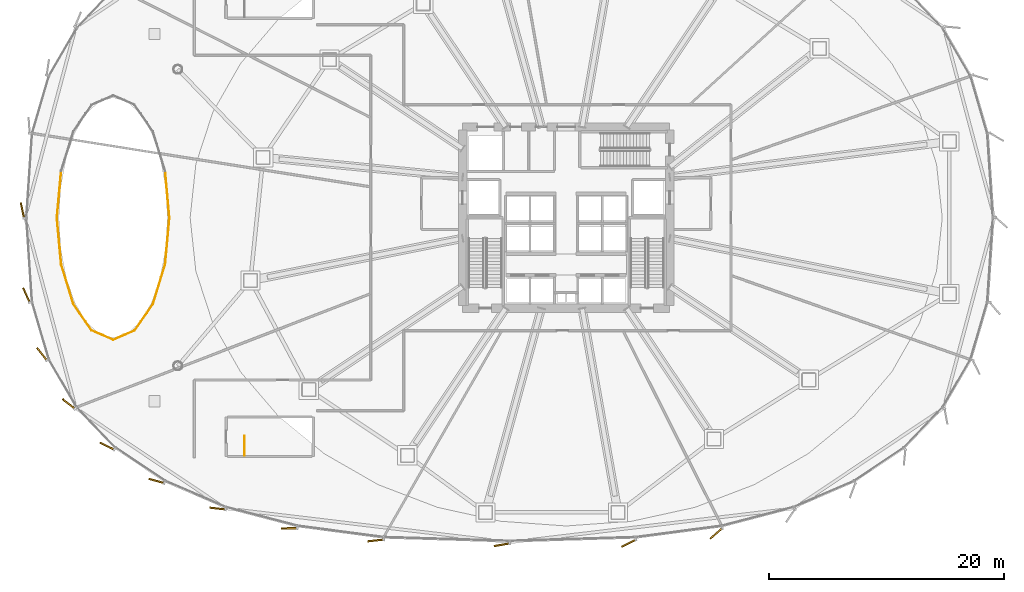
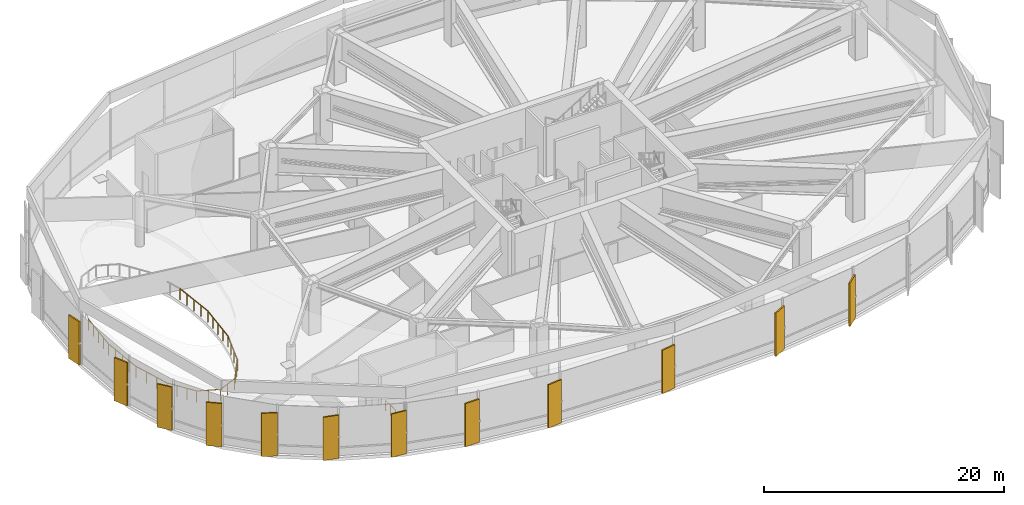
# One storey, part 32 of 36: 12 coverings, 11 railings.
"""IFC4 building model written with IfcOpenShell, lengths in metres."""

from ifc_helpers import new_model, si_unit, direction, frame, origin, origin_2d, place, context, subcontext, project, spatial, rectangle, circle, extrude, source, transform, mapped, material, layer, layer_set, type_object, element, save


model = new_model("IFC4")

# Units and contexts
model_context = context("Model", 3, precision=1e-05, world=origin(), true_north=direction((0.0, 1.0)))
body_context = subcontext(model_context, "Body", "Model", "MODEL_VIEW")
ifc_project = project(units=[si_unit("LENGTHUNIT", "METRE"), si_unit("AREAUNIT", "SQUARE_METRE"), si_unit("VOLUMEUNIT", "CUBIC_METRE"), si_unit("PLANEANGLEUNIT", "RADIAN"), si_unit("MASSUNIT", "GRAM", prefix="KILO"), si_unit("THERMODYNAMICTEMPERATUREUNIT", "KELVIN")], contexts=[model_context])

# Site, building, storey
site_placement = place(None, origin())
site = spatial("IfcSite", under=ifc_project, at=site_placement, CompositionType="ELEMENT")
building_placement = place(site_placement, origin())
building = spatial("IfcBuilding", under=site, at=building_placement, Name="Kethvar Cultural Tower", CompositionType="ELEMENT")
storey_placement = place(building_placement, frame((0.0, 0.0, 24.0)))
storey = spatial("IfcBuildingStorey", under=building, at=storey_placement, Name="L05", CompositionType="ELEMENT", Elevation=24.0)

# Railings
ifc_material_1 = material(Name="Steel S355J2", Category="steel")
railing_type_1 = type_object("IfcRailingType", Name="RL-INT-ATRIUM-1150", PredefinedType="BALUSTRADE", material=ifc_material_1)
railing_1_placement = place(storey_placement, frame((13.080078125, 27.800048828125, 0.0)))
element("IfcRailing", 1, at=railing_1_placement, inside=storey, type_object=railing_type_1, Name="L05 Atrium Void Balustrade 01", PredefinedType="BALUSTRADE", context=body_context, shape_type="SweptSolid", body=[
    extrude(circle(Radius=0.02392578125, at=origin_2d()), frame((0.0, 0.0, 1.1259765625), z_axis=(-0.091258659419, 0.995827222504, 0.0), x_axis=(-0.995827222504, -0.091258659419, 0.0)), (0.0, 0.0, 1.0), 3.98876953125),
    extrude(circle(Radius=0.02099609375, at=origin_2d()), origin(), (0.0, 0.0, 1.0), 1.101806640625),
    extrude(circle(Radius=0.02099609375, at=origin_2d()), frame((-0.091064453125, 0.9931640625, 0.0)), (0.0, 0.0, 1.0), 1.101806640625),
    extrude(circle(Radius=0.02099609375, at=origin_2d()), frame((-0.18212890625, 1.986083984375, 0.0)), (0.0, 0.0, 1.0), 1.101806640625),
    extrude(circle(Radius=0.02099609375, at=origin_2d()), frame((-0.27294921875, 2.97900390625, 0.0)), (0.0, 0.0, 1.0), 1.101806640625),
    extrude(circle(Radius=0.02099609375, at=origin_2d()), frame((-0.364013671875, 3.97216796875, 0.0)), (0.0, 0.0, 1.0), 1.101806640625),
])
railing_2_placement = place(storey_placement, frame((3.8837890625, 31.772216796875, 0.0)))
element("IfcRailing", 2, at=railing_2_placement, inside=storey, type_object=railing_type_1, Name="L05 Atrium Void Balustrade 08", PredefinedType="BALUSTRADE", context=body_context, shape_type="SweptSolid", body=[
    extrude(circle(Radius=0.02392578125, at=origin_2d()), frame((0.0, 0.0, 1.1259765625), z_axis=(-0.091197962302, -0.995832782987, 0.0), x_axis=(0.995832782987, -0.091197962302, 0.0)), (0.0, 0.0, 1.0), 3.98876953125),
    extrude(circle(Radius=0.02099609375, at=origin_2d()), origin(), (0.0, 0.0, 1.0), 1.101806640625),
    extrude(circle(Radius=0.02099609375, at=origin_2d()), frame((-0.0908203125, -0.9931640625, 0.0)), (0.0, 0.0, 1.0), 1.101806640625),
    extrude(circle(Radius=0.02099609375, at=origin_2d()), frame((-0.181884765625, -1.986083984375, 0.0)), (0.0, 0.0, 1.0), 1.101806640625),
    extrude(circle(Radius=0.02099609375, at=origin_2d()), frame((-0.27294921875, -2.97900390625, 0.0)), (0.0, 0.0, 1.0), 1.101806640625),
    extrude(circle(Radius=0.02099609375, at=origin_2d()), frame((-0.36376953125, -3.97216796875, 0.0)), (0.0, 0.0, 1.0), 1.101806640625),
])
railing_3_placement = place(storey_placement, frame((3.52001953125, 27.800048828125, 0.0)))
element("IfcRailing", 3, at=railing_3_placement, inside=storey, type_object=railing_type_1, Name="L05 Atrium Void Balustrade 09", PredefinedType="BALUSTRADE", context=body_context, shape_type="SweptSolid", body=[
    extrude(circle(Radius=0.02392578125, at=origin_2d()), frame((0.0, 0.0, 1.1259765625), z_axis=(0.091192403975, -0.995833292001, 0.0), x_axis=(0.995833292001, 0.091192403975, 0.0)), (0.0, 0.0, 1.0), 3.989013671875),
    extrude(circle(Radius=0.02099609375, at=origin_2d()), origin(), (0.0, 0.0, 1.0), 1.101806640625),
    extrude(circle(Radius=0.02099609375, at=origin_2d()), frame((0.0908203125, -0.9931640625, 0.0)), (0.0, 0.0, 1.0), 1.101806640625),
    extrude(circle(Radius=0.02099609375, at=origin_2d()), frame((0.181884765625, -1.986328125, 0.0)), (0.0, 0.0, 1.0), 1.101806640625),
    extrude(circle(Radius=0.02099609375, at=origin_2d()), frame((0.27294921875, -2.979248046875, 0.0)), (0.0, 0.0, 1.0), 1.101806640625),
    extrude(circle(Radius=0.02099609375, at=origin_2d()), frame((0.36376953125, -3.972412109375, 0.0)), (0.0, 0.0, 1.0), 1.101806640625),
])
railing_4_placement = place(storey_placement, frame((3.8837890625, 23.82763671875, 0.0)))
element("IfcRailing", 4, at=railing_4_placement, inside=storey, type_object=railing_type_1, Name="L05 Atrium Void Balustrade 10", PredefinedType="BALUSTRADE", context=body_context, shape_type="SweptSolid", body=[
    extrude(circle(Radius=0.02392578125, at=origin_2d()), frame((0.0, 0.0, 1.1259765625), z_axis=(0.294085848838, -0.955779008722, 0.0), x_axis=(0.955779008722, 0.294085848838, 0.0)), (0.0, 0.0, 1.0), 3.523193359375),
    extrude(circle(Radius=0.02099609375, at=origin_2d()), origin(), (0.0, 0.0, 1.0), 1.101806640625),
    extrude(circle(Radius=0.02099609375, at=origin_2d()), frame((0.345458984375, -1.12255859375, 0.0)), (0.0, 0.0, 1.0), 1.101806640625),
    extrude(circle(Radius=0.02099609375, at=origin_2d()), frame((0.690673828125, -2.244873046875, 0.0)), (0.0, 0.0, 1.0), 1.101806640625),
    extrude(circle(Radius=0.02099609375, at=origin_2d()), frame((1.0361328125, -3.367431640625, 0.0)), (0.0, 0.0, 1.0), 1.101806640625),
])
railing_5_placement = place(storey_placement, frame((4.919921875, 20.460205078125, 0.0)))
element("IfcRailing", 5, at=railing_5_placement, inside=storey, type_object=railing_type_1, Name="L05 Atrium Void Balustrade 11", PredefinedType="BALUSTRADE", context=body_context, shape_type="SweptSolid", body=[
    extrude(circle(Radius=0.02392578125, at=origin_2d()), frame((0.0, 0.0, 1.1259765625), z_axis=(0.567499103601, -0.823374014293, 0.0), x_axis=(0.823374014293, 0.567499103601, 0.0)), (0.0, 0.0, 1.0), 2.732666015625),
    extrude(circle(Radius=0.02099609375, at=origin_2d()), origin(), (0.0, 0.0, 1.0), 1.101806640625),
    extrude(circle(Radius=0.02099609375, at=origin_2d()), frame((0.516845703125, -0.75, 0.0)), (0.0, 0.0, 1.0), 1.101806640625),
    extrude(circle(Radius=0.02099609375, at=origin_2d()), frame((1.033935546875, -1.5, 0.0)), (0.0, 0.0, 1.0), 1.101806640625),
    extrude(circle(Radius=0.02099609375, at=origin_2d()), frame((1.55078125, -2.25, 0.0)), (0.0, 0.0, 1.0), 1.101806640625),
])
railing_6_placement = place(storey_placement, frame((6.470703125, 18.210205078125, 0.0)))
element("IfcRailing", 6, at=railing_6_placement, inside=storey, type_object=railing_type_1, Name="L05 Atrium Void Balustrade 12", PredefinedType="BALUSTRADE", context=body_context, shape_type="SweptSolid", body=[
    extrude(circle(Radius=0.02392578125, at=origin_2d()), frame((0.0, 0.0, 1.1259765625), z_axis=(0.918000525131, -0.396579167203, 0.0), x_axis=(0.396579167203, 0.918000525131, 0.0)), (0.0, 0.0, 1.0), 1.99267578125),
    extrude(circle(Radius=0.02099609375, at=origin_2d()), origin(), (0.0, 0.0, 1.0), 1.101806640625),
    extrude(circle(Radius=0.02099609375, at=origin_2d()), frame((0.91455078125, -0.39501953125, 0.0)), (0.0, 0.0, 1.0), 1.101806640625),
    extrude(circle(Radius=0.02099609375, at=origin_2d()), frame((1.829345703125, -0.790283203125, 0.0)), (0.0, 0.0, 1.0), 1.101806640625),
])
railing_7_placement = place(storey_placement, frame((8.300048828125, 17.419921875, 0.0)))
element("IfcRailing", 7, at=railing_7_placement, inside=storey, type_object=railing_type_1, Name="L05 Atrium Void Balustrade 13", PredefinedType="BALUSTRADE", context=body_context, shape_type="SweptSolid", body=[
    extrude(circle(Radius=0.02392578125, at=origin_2d()), frame((0.0, 0.0, 1.1259765625), z_axis=(0.917981253421, 0.396623774336, 0.0), x_axis=(-0.396623774336, 0.917981253421, 0.0)), (0.0, 0.0, 1.0), 1.992431640625),
    extrude(circle(Radius=0.02099609375, at=origin_2d()), origin(), (0.0, 0.0, 1.0), 1.101806640625),
    extrude(circle(Radius=0.02099609375, at=origin_2d()), frame((0.91455078125, 0.39501953125, 0.0)), (0.0, 0.0, 1.0), 1.101806640625),
    extrude(circle(Radius=0.02099609375, at=origin_2d()), frame((1.8291015625, 0.790283203125, 0.0)), (0.0, 0.0, 1.0), 1.101806640625),
])
railing_8_placement = place(storey_placement, frame((10.129150390625, 18.210205078125, 0.0)))
element("IfcRailing", 8, at=railing_8_placement, inside=storey, type_object=railing_type_1, Name="L05 Atrium Void Balustrade 14", PredefinedType="BALUSTRADE", context=body_context, shape_type="SweptSolid", body=[
    extrude(circle(Radius=0.02392578125, at=origin_2d()), frame((0.0, 0.0, 1.1259765625), z_axis=(0.567499103601, 0.823374014293, 0.0), x_axis=(-0.823374014293, 0.567499103601, 0.0)), (0.0, 0.0, 1.0), 2.732666015625),
    extrude(circle(Radius=0.02099609375, at=origin_2d()), origin(), (0.0, 0.0, 1.0), 1.101806640625),
    extrude(circle(Radius=0.02099609375, at=origin_2d()), frame((0.516845703125, 0.75, 0.0)), (0.0, 0.0, 1.0), 1.101806640625),
    extrude(circle(Radius=0.02099609375, at=origin_2d()), frame((1.033935546875, 1.5, 0.0)), (0.0, 0.0, 1.0), 1.101806640625),
    extrude(circle(Radius=0.02099609375, at=origin_2d()), frame((1.55078125, 2.25, 0.0)), (0.0, 0.0, 1.0), 1.101806640625),
])
railing_9_placement = place(storey_placement, frame((11.679931640625, 20.460205078125, 0.0)))
element("IfcRailing", 9, at=railing_9_placement, inside=storey, type_object=railing_type_1, Name="L05 Atrium Void Balustrade 15", PredefinedType="BALUSTRADE", context=body_context, shape_type="SweptSolid", body=[
    extrude(circle(Radius=0.02392578125, at=origin_2d()), frame((0.0, 0.0, 1.1259765625), z_axis=(0.294085848838, 0.955779008722, 0.0), x_axis=(-0.955779008722, 0.294085848838, 0.0)), (0.0, 0.0, 1.0), 3.523193359375),
    extrude(circle(Radius=0.02099609375, at=origin_2d()), origin(), (0.0, 0.0, 1.0), 1.101806640625),
    extrude(circle(Radius=0.02099609375, at=origin_2d()), frame((0.345458984375, 1.12255859375, 0.0)), (0.0, 0.0, 1.0), 1.101806640625),
    extrude(circle(Radius=0.02099609375, at=origin_2d()), frame((0.690673828125, 2.244873046875, 0.0)), (0.0, 0.0, 1.0), 1.101806640625),
    extrude(circle(Radius=0.02099609375, at=origin_2d()), frame((1.0361328125, 3.367431640625, 0.0)), (0.0, 0.0, 1.0), 1.101806640625),
])
railing_10_placement = place(storey_placement, frame((12.716064453125, 23.82763671875, 0.0)))
element("IfcRailing", 10, at=railing_10_placement, inside=storey, type_object=railing_type_1, Name="L05 Atrium Void Balustrade 16", PredefinedType="BALUSTRADE", context=body_context, shape_type="SweptSolid", body=[
    extrude(circle(Radius=0.02392578125, at=origin_2d()), frame((0.0, 0.0, 1.1259765625), z_axis=(0.091253097456, 0.995827732193, 0.0), x_axis=(-0.995827732193, 0.091253097456, 0.0)), (0.0, 0.0, 1.0), 3.989013671875),
    extrude(circle(Radius=0.02099609375, at=origin_2d()), origin(), (0.0, 0.0, 1.0), 1.101806640625),
    extrude(circle(Radius=0.02099609375, at=origin_2d()), frame((0.091064453125, 0.9931640625, 0.0)), (0.0, 0.0, 1.0), 1.101806640625),
    extrude(circle(Radius=0.02099609375, at=origin_2d()), frame((0.18212890625, 1.986328125, 0.0)), (0.0, 0.0, 1.0), 1.101806640625),
    extrude(circle(Radius=0.02099609375, at=origin_2d()), frame((0.27294921875, 2.979248046875, 0.0)), (0.0, 0.0, 1.0), 1.101806640625),
    extrude(circle(Radius=0.02099609375, at=origin_2d()), frame((0.364013671875, 3.972412109375, 0.0)), (0.0, 0.0, 1.0), 1.101806640625),
])
railing_type_2 = type_object("IfcRailingType", Name="RL-STAIR-GUARD", PredefinedType="BALUSTRADE", material=ifc_material_1)
railing_11_placement = place(storey_placement, frame((19.449951171875, 7.60009765625, 0.0)))
element("IfcRailing", 11, at=railing_11_placement, inside=storey, type_object=railing_type_2, Name="L05 ST-04 top well guard 1", PredefinedType="BALUSTRADE", context=body_context, shape_type="SweptSolid", body=[
    extrude(circle(Radius=0.02392578125, at=origin_2d()), frame((0.0, 0.0, 1.09619140625), z_axis=(0.0, 1.0, 0.0), x_axis=(-1.0, 0.0, 0.0)), (0.0, 0.0, 1.0), 1.659912109375),
    extrude(circle(Radius=0.02099609375, at=origin_2d()), origin(), (0.0, 0.0, 1.0), 1.072021484375),
    extrude(circle(Radius=0.02099609375, at=origin_2d()), frame((0.0, 0.830078125, 0.0)), (0.0, 0.0, 1.0), 1.072021484375),
    extrude(circle(Radius=0.02099609375, at=origin_2d()), frame((0.0, 1.659912109375, 0.0)), (0.0, 0.0, 1.0), 1.072021484375),
])

# Coverings
ifc_material_2 = material(Name="Extruded Architectural Terracotta", Category="masonry")
ifc_layer = layer(ifc_material_2, 0.135009765625, Name="Extruded Architectural Terracotta", Category="masonry")
ifc_layer_set = layer_set([ifc_layer], Name="Extruded Architectural Terracotta (135 mm)")
covering_type = type_object("IfcCoveringType", Name="Terracotta Facade Fin FIN-04", PredefinedType="CLADDING", material=ifc_layer_set)
shared_shape = source(origin(), body_context, "Body", "SweptSolid", [
    extrude(rectangle(XDim=1.35009765625, YDim=0.135009765625, at=origin_2d()), origin(), (0.0, 0.0, 1.0), 4.39990234375),
])
for number, where, z_axis, x_axis, name in (
    (12, (0.5849609375, 28.40673828125, 0.02001953125), (0.0, 0.0, 1.0), (-0.205179380307, 0.978724385053, 0.0), "L05 Vertical Terracotta Fin 4.1"),
    (13, (0.927001953125, 21.213623046875, 0.02001953125), (0.0, 0.0, 1.0), (-0.412468552072, 0.910971840153, 0.0), "L05 Vertical Terracotta Fin 4.2"),
    (14, (2.238037109375, 16.1982421875, 0.02001953125), (0.0, 0.0, 1.0), (-0.618819784276, 0.785532987588, 0.0), "L05 Vertical Terracotta Fin 4.3"),
    (15, (4.526611328125, 11.96728515625, 0.02001953125), (0.0, 0.0, 1.0), (-0.786935021961, 0.617035875141, 0.0), "L05 Vertical Terracotta Fin 4.4"),
    (16, (7.784912109375, 8.381591796875, 0.02001953125), (0.0, 0.0, 1.0), (-0.900166792241, 0.435545343388, 0.0), "L05 Vertical Terracotta Fin 4.5"),
    (17, (11.990966796875, 5.421142578125, 0.02001953125), (0.0, 0.0, 1.0), (-0.964326778534, 0.264714684522, 0.0), "L05 Vertical Terracotta Fin 4.6"),
    (18, (17.18310546875, 3.07958984375, 0.02001953125), (0.0, 0.0, 1.0), (-0.993251859042, 0.115977344809, 0.0), "L05 Vertical Terracotta Fin 5.1"),
    (19, (23.2646484375, 1.404296875, 0.02001953125), (0.0, 0.0, 1.0), (-0.999963430902, -0.008552009087, 0.0), "L05 Vertical Terracotta Fin 5.2"),
    (20, (30.610595703125, 0.369384765625, 0.02001953125), (0.0, 0.0, 1.0), (-0.994018275953, -0.109213859333, 0.0), "L05 Vertical Terracotta Fin 5.3"),
    (21, (41.337158203125, 0.005859375, 0.02001953125), (0.0, 0.0, 1.0), (-0.985615113142, -0.169005469575, 0.0), "L05 Vertical Terracotta Fin 5.4"),
    (22, (52.12451171875, 0.137939453125, 0.02001953125), (0.0, 0.0, 1.0), (-0.891481453292, -0.453057191132, 0.0), "L05 Vertical Terracotta Fin 5.5"),
    (23, (59.564697265625, 0.964599609375, 0.02001953125), (0.0, 0.0, 1.0), (-0.748608671094, -0.663012109666, 0.0), "L05 Vertical Terracotta Fin 5.6"),
):
    element("IfcCovering", number, at=place(storey_placement, frame(where, z_axis=z_axis, x_axis=x_axis)), inside=storey, type_object=covering_type, Name=name, PredefinedType="CLADDING", context=body_context, shape_type="MappedRepresentation", body=[
        mapped(shared_shape, transform((0.0, 0.0, 0.0), scale=1.0)),
    ])

save(model, "model.ifc")
